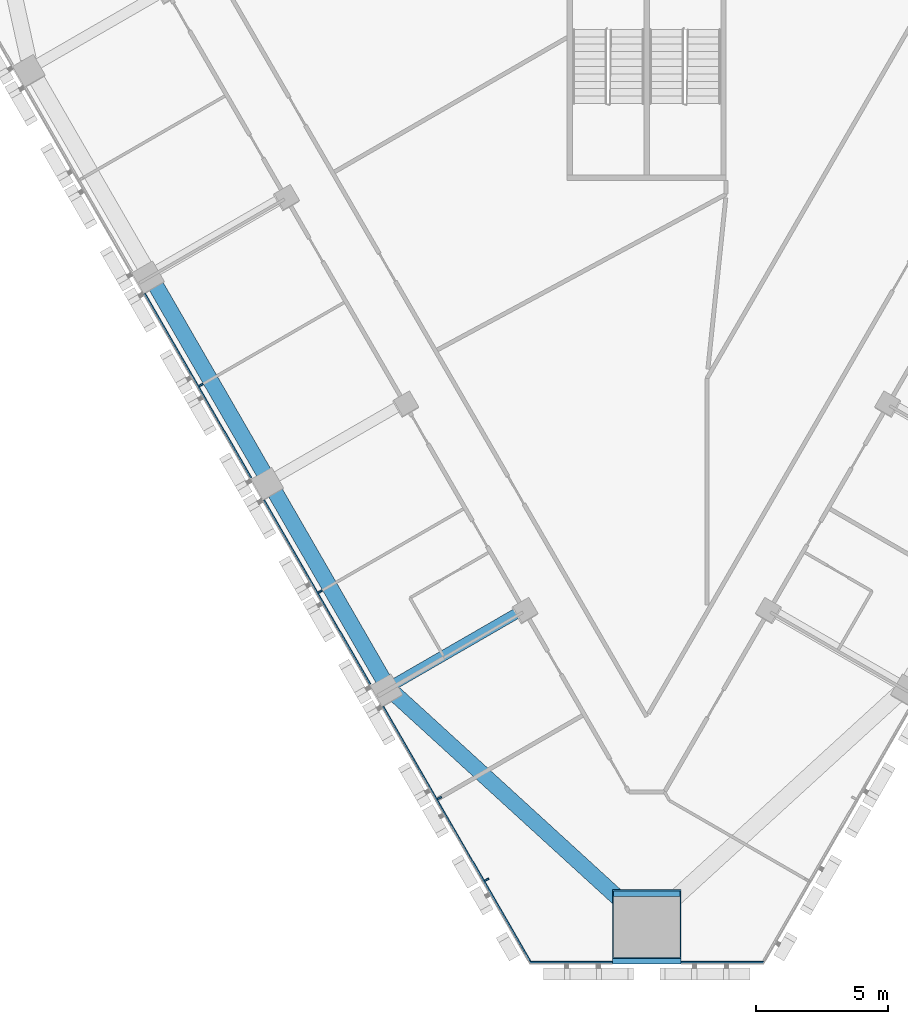
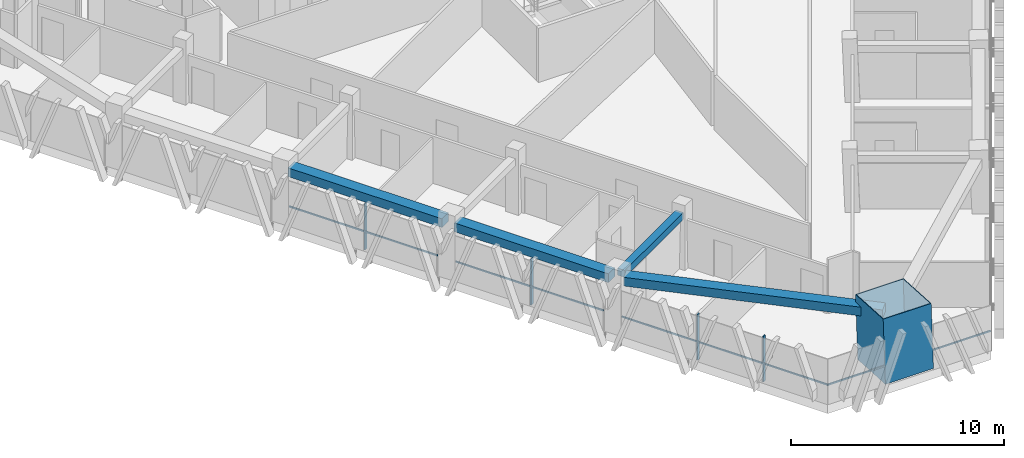
# One storey, part 2 of 16: 10 members, 4 beams, 2 elements without a shape of their own.
"""IFC4 building model written with IfcOpenShell, lengths in metres."""

from ifc_helpers import new_model, si_unit, direction, frame, origin, origin_2d, place, context, subcontext, project, spatial, rectangle, hollow_rectangle, extrude, material, layer, layer_set, material_profile, profile_set, type_object, element, aggregate, save


model = new_model("IFC4")

# Units and contexts
model_context = context("Model", 3, precision=1e-05, world=origin(), true_north=direction((0.0, 1.0)))
body_context = subcontext(model_context, "Body", "Model", "MODEL_VIEW")
ifc_project = project(units=[si_unit("LENGTHUNIT", "METRE"), si_unit("AREAUNIT", "SQUARE_METRE"), si_unit("VOLUMEUNIT", "CUBIC_METRE"), si_unit("PLANEANGLEUNIT", "RADIAN"), si_unit("MASSUNIT", "GRAM", prefix="KILO")], contexts=[model_context])

# Site, building, storey
site_placement = place(None, origin())
site = spatial("IfcSite", under=ifc_project, at=site_placement, CompositionType="ELEMENT")
building_placement = place(site_placement, origin())
building = spatial("IfcBuilding", under=site, at=building_placement, Name="Altiplano Prism Tower", CompositionType="ELEMENT")
storey_placement = place(building_placement, frame((0.0, 0.0, 81.0)))
storey = spatial("IfcBuildingStorey", under=building, at=storey_placement, Name="L20", CompositionType="ELEMENT", Elevation=81.0)

# Curtain wall, members
ifc_material_1 = material(Name="Aluminium and glass", Category="aluminium")
ifc_layer = layer(ifc_material_1, 0.280029296875)
ifc_layer_set = layer_set([ifc_layer], Name="Aluminium and glass")
curtain_wall_type = type_object("IfcCurtainWallType", Name="CW1 typical co-living unitised curtain wall", PredefinedType="NOTDEFINED", material=ifc_layer_set)
curtain_wall_1_placement = place(storey_placement, origin())
curtain_wall_1 = element("IfcCurtainWall", 1, at=curtain_wall_1_placement, inside=storey, type_object=curtain_wall_type, Name="CW1 curtain wall south-west face L20", PredefinedType="NOTDEFINED")
ifc_material_2 = material(Name="Aluminium", Category="aluminium")
ifc_material_profile_1 = material_profile(ifc_material_2, rectangle(XDim=0.179931640625, YDim=0.06494140625, at=origin_2d()), Name="CW1 mullion 65 x 180")
ifc_profile_set_1 = profile_set([ifc_material_profile_1], Name="Aluminium")
member_type_1 = type_object("IfcMemberType", Name="CW1 mullion 65 x 180", PredefinedType="MULLION", material=ifc_profile_set_1)
member_1_placement = place(storey_placement, frame((68.177734375, 75.673095703125, 0.0), z_axis=(0.0, 0.0, 1.0), x_axis=(0.866025400215, 0.500000006182, 0.0)))
member_1 = element("IfcMember", 2, at=member_1_placement, type_object=member_type_1, Name="CW1 mullion", PredefinedType="MULLION", context=body_context, shape_type="SweptSolid", body=[
    extrude(rectangle(XDim=0.179931640625, YDim=0.06494140625, at=origin_2d()), origin(), (0.0, 0.0, 1.0), 2.60009765625),
])
member_2_placement = place(storey_placement, frame((72.677734375, 67.87890625, 0.0), z_axis=(0.0, 0.0, 1.0), x_axis=(0.866025400215, 0.500000006182, 0.0)))
member_2 = element("IfcMember", 3, at=member_2_placement, type_object=member_type_1, Name="CW1 mullion", PredefinedType="MULLION", context=body_context, shape_type="SweptSolid", body=[
    extrude(rectangle(XDim=0.179931640625, YDim=0.06494140625, at=origin_2d()), origin(), (0.0, 0.0, 1.0), 2.60009765625),
])
member_3_placement = place(storey_placement, frame((77.177734375, 60.084716796875, 0.0), z_axis=(0.0, 0.0, 1.0), x_axis=(0.866025400215, 0.500000006182, 0.0)))
member_3 = element("IfcMember", 4, at=member_3_placement, type_object=member_type_1, Name="CW1 mullion", PredefinedType="MULLION", context=body_context, shape_type="SweptSolid", body=[
    extrude(rectangle(XDim=0.179931640625, YDim=0.06494140625, at=origin_2d()), origin(), (0.0, 0.0, 1.0), 2.60009765625),
])
member_4_placement = place(storey_placement, frame((78.959716796875, 56.998291015625, 0.0), z_axis=(0.0, 0.0, 1.0), x_axis=(0.866025400215, 0.500000006182, 0.0)))
member_4 = element("IfcMember", 5, at=member_4_placement, type_object=member_type_1, Name="CW1 mullion", PredefinedType="MULLION", context=body_context, shape_type="SweptSolid", body=[
    extrude(rectangle(XDim=0.179931640625, YDim=0.06494140625, at=origin_2d()), origin(), (0.0, 0.0, 1.0), 2.60009765625),
])
ifc_material_profile_2 = material_profile(ifc_material_2, rectangle(XDim=0.06005859375, YDim=0.080078125, at=origin_2d()), Name="CW1 transom 80 x 60")
ifc_profile_set_2 = profile_set([ifc_material_profile_2], Name="Aluminium")
member_type_2 = type_object("IfcMemberType", Name="CW1 transom 80 x 60", PredefinedType="USERDEFINED", material=ifc_profile_set_2)
member_5_placement = place(storey_placement, frame((66.04931640625, 79.1201171875, 1.10009765625), z_axis=(0.499976305243, -0.866039083527, 0.0), x_axis=(0.866039083527, 0.499976305243, 0.0)))
member_5 = element("IfcMember", 6, at=member_5_placement, type_object=member_type_2, Name="CW1 transom", ObjectType="TRANSOM", PredefinedType="USERDEFINED", context=body_context, shape_type="SweptSolid", body=[
    extrude(rectangle(XDim=0.06005859375, YDim=0.080078125, at=origin_2d()), origin(), (0.0, 0.0, 1.0), 8.02001953125),
])
member_6_placement = place(storey_placement, frame((70.54931640625, 71.32568359375, 1.10009765625), z_axis=(0.499989486807, -0.866031473494, 0.0), x_axis=(0.866031473494, 0.499989486807, 0.0)))
member_6 = element("IfcMember", 7, at=member_6_placement, type_object=member_type_2, Name="CW1 transom", ObjectType="TRANSOM", PredefinedType="USERDEFINED", context=body_context, shape_type="SweptSolid", body=[
    extrude(rectangle(XDim=0.06005859375, YDim=0.080078125, at=origin_2d()), origin(), (0.0, 0.0, 1.0), 8.019775390625),
])
member_7_placement = place(storey_placement, frame((75.04931640625, 63.531494140625, 1.10009765625), z_axis=(0.500003547166, -0.866023355818, 0.0), x_axis=(0.866023355818, 0.500003547166, 0.0)))
member_7 = element("IfcMember", 8, at=member_7_placement, type_object=member_type_2, Name="CW1 transom", ObjectType="TRANSOM", PredefinedType="USERDEFINED", context=body_context, shape_type="SweptSolid", body=[
    extrude(rectangle(XDim=0.06005859375, YDim=0.080078125, at=origin_2d()), origin(), (0.0, 0.0, 1.0), 11.17724609375),
])
aggregate(curtain_wall_1, [member_1, member_5, member_2, member_6, member_3, member_4, member_7])

curtain_wall_2_placement = place(storey_placement, origin())
curtain_wall_2 = element("IfcCurtainWall", 9, at=curtain_wall_2_placement, inside=storey, type_object=curtain_wall_type, Name="CW1 curtain wall south chamfer L20", PredefinedType="NOTDEFINED")
member_8_placement = place(storey_placement, frame((80.577392578125, 53.88671875, 1.10009765625), z_axis=(1.0, 0.0, 0.0), x_axis=(0.0, 1.0, 0.0)))
member_8 = element("IfcMember", 10, at=member_8_placement, type_object=member_type_2, Name="CW1 transom", ObjectType="TRANSOM", PredefinedType="USERDEFINED", context=body_context, shape_type="SweptSolid", body=[
    extrude(rectangle(XDim=0.06005859375, YDim=0.080078125, at=origin_2d()), origin(), (0.0, 0.0, 1.0), 3.12255859375),
])
member_9_placement = place(storey_placement, frame((86.300048828125, 53.88671875, 1.10009765625), z_axis=(1.0, 0.0, 0.0), x_axis=(0.0, 1.0, 0.0)))
member_9 = element("IfcMember", 11, at=member_9_placement, type_object=member_type_2, Name="CW1 transom", ObjectType="TRANSOM", PredefinedType="USERDEFINED", context=body_context, shape_type="SweptSolid", body=[
    extrude(rectangle(XDim=0.06005859375, YDim=0.080078125, at=origin_2d()), origin(), (0.0, 0.0, 1.0), 3.12255859375),
])
aggregate(curtain_wall_2, [member_8, member_9])

# Beams
ifc_material_3 = material(Name="Concrete C60/75", Category="concrete")
ifc_material_profile_3 = material_profile(ifc_material_3, rectangle(XDim=0.60009765625, YDim=0.5, at=origin_2d()), Name="Edge beam 600x500")
ifc_profile_set_3 = profile_set([ifc_material_profile_3], Name="Concrete C60/75")
beam_type_1 = type_object("IfcBeamType", Name="Edge beam 600x500", PredefinedType="SPANDREL", material=ifc_profile_set_3)
for number, where, z_axis, x_axis, name in (
    (12, (66.39794921875, 79.552978515625, 2.85009765625), (0.500014701701, -0.866016915587, 0.0), (0.866016915587, 0.500014701701, 0.0), "Edge beam P12-P13 L21"),
    (13, (70.89794921875, 71.7587890625, 2.85009765625), (0.500014701701, -0.866016915587, 0.0), (0.866016915587, 0.500014701701, 0.0), "Edge beam P13-P14 L21"),
):
    element("IfcBeam", number, at=place(storey_placement, frame(where, z_axis=z_axis, x_axis=x_axis)), inside=storey, type_object=beam_type_1, Name=name, PredefinedType="SPANDREL", context=body_context, shape_type="SweptSolid", body=[
        extrude(rectangle(XDim=0.60009765625, YDim=0.5, at=origin_2d()), origin(), (0.0, 0.0, 1.0), 8.340087890625),
    ])
beam_1_placement = place(storey_placement, frame((75.492919921875, 64.012939453125, 2.85009765625), z_axis=(0.738271950519, -0.674503170546, 0.0), x_axis=(0.674503170546, 0.738271950519, 0.0)))
element("IfcBeam", 14, at=beam_1_placement, inside=storey, type_object=beam_type_1, Name="Edge beam P14-M1 L21", PredefinedType="SPANDREL", context=body_context, shape_type="SweptSolid", body=[
    extrude(rectangle(XDim=0.60009765625, YDim=0.5, at=origin_2d()), origin(), (0.0, 0.0, 1.0), 12.427490234375),
])

# Member
ifc_material_4 = material(Name="Steel S460", Category="steel")
ifc_material_profile_4 = material_profile(ifc_material_4, hollow_rectangle(XDim=2.60009765625, YDim=2.60009765625, WallThickness=0.0400390625, at=origin_2d()), Name="Mega column tube 2600")
ifc_profile_set_4 = profile_set([ifc_material_profile_4], Name="Steel S460")
member_type_3 = type_object("IfcMemberType", Name="Mega column tube 2600", PredefinedType="POST", material=ifc_profile_set_4)
member_10_placement = place(storey_placement, frame((85.0, 55.11669921875, 0.0), z_axis=(0.0, 0.058356907999, 0.998295783467), x_axis=(-1.0, 0.0, 0.0)))
element("IfcMember", 15, at=member_10_placement, inside=storey, type_object=member_type_3, Name="Mega column tube M1 L20", PredefinedType="POST", context=body_context, shape_type="SweptSolid", body=[
    extrude(hollow_rectangle(XDim=2.60009765625, YDim=2.60009765625, WallThickness=0.0400390625, at=origin_2d()), origin(), (0.0, 0.0, 1.0), 3.606201171875),
])

# Beam
ifc_material_profile_5 = material_profile(ifc_material_3, rectangle(XDim=0.39990234375, YDim=0.39990234375, at=origin_2d()), Name="Tie beam 400x400")
ifc_profile_set_5 = profile_set([ifc_material_profile_5], Name="Concrete C60/75")
beam_type_2 = type_object("IfcBeamType", Name="Tie beam 400x400", PredefinedType="BEAM", material=ifc_profile_set_5)
beam_2_placement = place(storey_placement, frame((80.273193359375, 67.160400390625, 2.89990234375), z_axis=(-0.866012292785, -0.50002270823, 0.0), x_axis=(0.50002270823, -0.866012292785, 0.0)))
element("IfcBeam", 16, at=beam_2_placement, inside=storey, type_object=beam_type_2, Name="Tie beam I14 L21", PredefinedType="BEAM", context=body_context, shape_type="SweptSolid", body=[
    extrude(rectangle(XDim=0.39990234375, YDim=0.39990234375, at=origin_2d()), origin(), (0.0, 0.0, 1.0), 5.489990234375),
])

save(model, "model.ifc")
